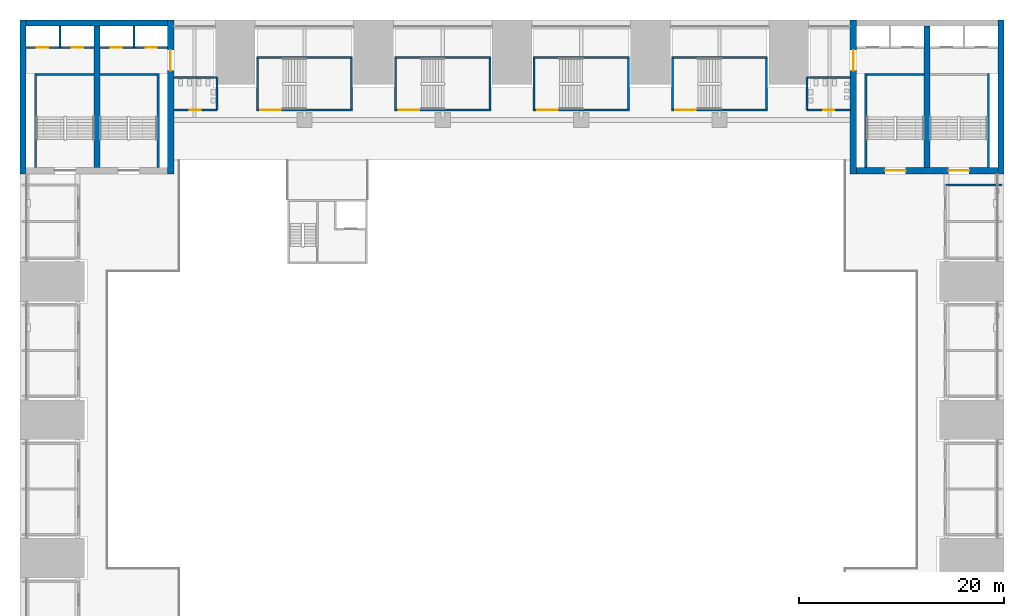
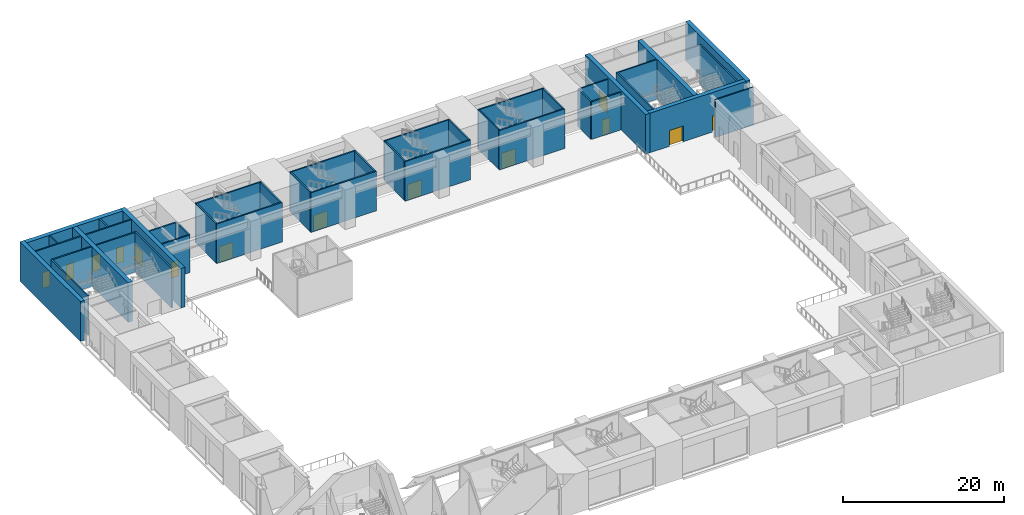
# One storey, part 16 of 41: 42 walls, 14 doors, 14 openings.
"""IFC4 building model written with IfcOpenShell, lengths in metres."""

from ifc_helpers import new_model, si_unit, direction, frame, frame_2d, origin, place, context, subcontext, project, spatial, rectangle, extrude, material, layer, layer_set, type_object, element, fill, save


model = new_model("IFC4")

# Units and contexts
model_context = context("Model", 3, precision=1e-05, world=origin(), true_north=direction((0.0, 1.0)))
body_context = subcontext(model_context, "Body", "Model", "MODEL_VIEW")
ifc_project = project(units=[si_unit("LENGTHUNIT", "METRE"), si_unit("AREAUNIT", "SQUARE_METRE"), si_unit("VOLUMEUNIT", "CUBIC_METRE"), si_unit("PLANEANGLEUNIT", "RADIAN"), si_unit("MASSUNIT", "GRAM", prefix="KILO")], contexts=[model_context])

# Site, building, storey
site_placement = place(None, origin())
site = spatial("IfcSite", under=ifc_project, at=site_placement, CompositionType="ELEMENT")
building_placement = place(site_placement, origin())
building = spatial("IfcBuilding", under=site, at=building_placement, Name="Corbelhall Arena Tower", CompositionType="ELEMENT")
storey_placement = place(building_placement, frame((0.0, 0.0, 19.0)))
storey = spatial("IfcBuildingStorey", under=building, at=storey_placement, Name="L02", CompositionType="ELEMENT", Elevation=19.0)

# Wall
ifc_material_1 = material(Name="Gypsum board on steel studs", Category="steel")
ifc_layer_1 = layer(ifc_material_1, 0.199951171875)
ifc_layer_set_1 = layer_set([ifc_layer_1], Name="AR-ROOM-WALL")
wall_type_1 = type_object("IfcWallType", Name="AR-ROOM-WALL", PredefinedType="PARTITIONING", material=ifc_layer_set_1)
wall_1_placement = place(storey_placement, frame((42.300048828125, 22.89990234375, 0.0), z_axis=(0.0, 0.0, 1.0), x_axis=(1.0, 0.0, 0.0)))
element("IfcWall", 1, at=wall_1_placement, inside=storey, type_object=wall_type_1, Name="Accessible WC 2 end wall", PredefinedType="PARTITIONING", context=body_context, shape_type="SweptSolid", body=[
    extrude(rectangle(XDim=5.5, YDim=0.199951171875, at=frame_2d((2.75, 0.0))), origin(), (0.0, 0.0, 1.0), 5.699951171875),
])

# Wall, opening, door
wall_2_placement = place(storey_placement, frame((28.800048828125, 30.199951171875, 0.0), z_axis=(0.0, 0.0, 1.0), x_axis=(1.0, 0.0, 0.0)))
wall_2 = element("IfcWall", 2, at=wall_2_placement, inside=storey, type_object=wall_type_1, Name="Men's WC 1 wall", PredefinedType="PARTITIONING", context=body_context, shape_type="SweptSolid", body=[
    extrude(rectangle(XDim=4.199951171875, YDim=0.199951171875, at=frame_2d((2.10009765625, 0.0))), origin(), (0.0, 0.0, 1.0), 5.699951171875),
])
opening_1_placement = place(wall_2_placement, frame((1.550048828125, 0.0, 0.0)))
opening_1 = element("IfcOpeningElement", 3, at=opening_1_placement, cuts=wall_2, Name="Opening DA0379", PredefinedType="OPENING", context=body_context, shape_type="SweptSolid", body=[
    extrude(rectangle(XDim=1.10009765625, YDim=2.39990234375, at=frame_2d((0.550048828125, 1.199951171875))), frame((0.0, 0.10009765625, 0.0), z_axis=(0.0, -1.0, 0.0), x_axis=(1.0, 0.0, 0.0)), (0.0, 0.0, 1.0), 0.199951171875),
])
ifc_material_2 = material(Name="Timber", Category="wood")
door_type_1 = type_object("IfcDoorType", Name="AR-ROOM-DOOR", OperationType="DOUBLE_DOOR_SINGLE_SWING", PredefinedType="DOOR", material=ifc_material_2)
door_1_placement = place(opening_1_placement, origin())
door_1 = element("IfcDoor", 4, at=door_1_placement, inside=storey, type_object=door_type_1, Name="Men's WC 1 door", OperationType="DOUBLE_DOOR_SINGLE_SWING", OverallHeight=2.39990234375, OverallWidth=1.10009765625, PredefinedType="DOOR", context=body_context, shape_type="SweptSolid", body=[
    extrude(rectangle(XDim=1.10009765625, YDim=2.39990234375, at=frame_2d((0.550048828125, 1.199951171875))), frame((0.0, 0.02490234375, 0.0), z_axis=(0.0, -1.0, 0.0), x_axis=(1.0, 0.0, 0.0)), (0.0, 0.0, 1.0), 0.050048828125),
])
fill(opening_1, door_1)

# Walls
wall_3_placement = place(storey_placement, frame((28.800048828125, 30.199951171875, 0.0), z_axis=(0.0, 0.0, 1.0), x_axis=(0.0, 1.0, 0.0)))
element("IfcWall", 5, at=wall_3_placement, inside=storey, type_object=wall_type_1, Name="Men's WC 1 side wall", PredefinedType="PARTITIONING", context=body_context, shape_type="SweptSolid", body=[
    extrude(rectangle(XDim=3.199951171875, YDim=0.199951171875, at=frame_2d((1.60009765625, 0.0))), origin(), (0.0, 0.0, 1.0), 5.699951171875),
])
wall_4_placement = place(storey_placement, frame((28.800048828125, 33.39990234375, 0.0), z_axis=(0.0, 0.0, 1.0), x_axis=(1.0, 0.0, 0.0)))
element("IfcWall", 6, at=wall_4_placement, inside=storey, type_object=wall_type_1, Name="Men's WC 1 far wall", PredefinedType="PARTITIONING", context=body_context, shape_type="SweptSolid", body=[
    extrude(rectangle(XDim=4.199951171875, YDim=0.199951171875, at=frame_2d((2.10009765625, 0.0))), origin(), (0.0, 0.0, 1.0), 5.699951171875),
])

# Wall, opening, door
wall_5_placement = place(storey_placement, frame((-33.0, 30.199951171875, 0.0), z_axis=(0.0, 0.0, 1.0), x_axis=(1.0, 0.0, 0.0)))
wall_5 = element("IfcWall", 7, at=wall_5_placement, inside=storey, type_object=wall_type_1, Name="Women's WC 2 wall", PredefinedType="PARTITIONING", context=body_context, shape_type="SweptSolid", body=[
    extrude(rectangle(XDim=4.199951171875, YDim=0.199951171875, at=frame_2d((2.10009765625, 0.0))), origin(), (0.0, 0.0, 1.0), 5.699951171875),
])
opening_2_placement = place(wall_5_placement, frame((1.550048828125, 0.0, 0.0)))
opening_2 = element("IfcOpeningElement", 8, at=opening_2_placement, cuts=wall_5, Name="Opening DA0380", PredefinedType="OPENING", context=body_context, shape_type="SweptSolid", body=[
    extrude(rectangle(XDim=1.10009765625, YDim=2.39990234375, at=frame_2d((0.550048828125, 1.199951171875))), frame((0.0, 0.10009765625, 0.0), z_axis=(0.0, -1.0, 0.0), x_axis=(1.0, 0.0, 0.0)), (0.0, 0.0, 1.0), 0.199951171875),
])
door_2_placement = place(opening_2_placement, origin())
door_2 = element("IfcDoor", 9, at=door_2_placement, inside=storey, type_object=door_type_1, Name="Women's WC 2 door", OperationType="DOUBLE_DOOR_SINGLE_SWING", OverallHeight=2.39990234375, OverallWidth=1.10009765625, PredefinedType="DOOR", context=body_context, shape_type="SweptSolid", body=[
    extrude(rectangle(XDim=1.10009765625, YDim=2.39990234375, at=frame_2d((0.550048828125, 1.199951171875))), frame((0.0, 0.02490234375, 0.0), z_axis=(0.0, -1.0, 0.0), x_axis=(1.0, 0.0, 0.0)), (0.0, 0.0, 1.0), 0.050048828125),
])
fill(opening_2, door_2)

# Walls
wall_6_placement = place(storey_placement, frame((-28.800048828125, 30.199951171875, 0.0), z_axis=(0.0, 0.0, 1.0), x_axis=(0.0, 1.0, 0.0)))
element("IfcWall", 10, at=wall_6_placement, inside=storey, type_object=wall_type_1, Name="Women's WC 2 side wall", PredefinedType="PARTITIONING", context=body_context, shape_type="SweptSolid", body=[
    extrude(rectangle(XDim=3.199951171875, YDim=0.199951171875, at=frame_2d((1.60009765625, 0.0))), origin(), (0.0, 0.0, 1.0), 5.699951171875),
])
wall_7_placement = place(storey_placement, frame((-33.0, 33.39990234375, 0.0), z_axis=(0.0, 0.0, 1.0), x_axis=(1.0, 0.0, 0.0)))
element("IfcWall", 11, at=wall_7_placement, inside=storey, type_object=wall_type_1, Name="Women's WC 2 far wall", PredefinedType="PARTITIONING", context=body_context, shape_type="SweptSolid", body=[
    extrude(rectangle(XDim=4.199951171875, YDim=0.199951171875, at=frame_2d((2.10009765625, 0.0))), origin(), (0.0, 0.0, 1.0), 5.699951171875),
])

# Wall, openings, doors
ifc_material_3 = material(Name="Reinforced concrete C40/50", Category="concrete")
ifc_layer_2 = layer(ifc_material_3, 0.199951171875)
ifc_layer_set_2 = layer_set([ifc_layer_2], Name="AR-SHAFT-WALL")
wall_type_2 = type_object("IfcWallType", Name="AR-SHAFT-WALL", PredefinedType="SHEAR", material=ifc_layer_set_2)
wall_8_placement = place(storey_placement, frame((-47.39990234375, 36.300048828125, 0.0), z_axis=(0.0, 0.0, 1.0), x_axis=(1.0, 0.0, 0.0)))
wall_8 = element("IfcWall", 12, at=wall_8_placement, inside=storey, type_object=wall_type_2, Name="Lift lobby wall NW", PredefinedType="SHEAR", context=body_context, shape_type="SweptSolid", body=[
    extrude(rectangle(XDim=6.599853515625, YDim=0.199951171875, at=frame_2d((3.2998046875, 0.0))), origin(), (0.0, 0.0, 1.0), 6.0),
])
opening_3_placement = place(wall_8_placement, frame((1.050048828125, 0.0, 0.0)))
opening_3 = element("IfcOpeningElement", 13, at=opening_3_placement, cuts=wall_8, Name="Opening LD0171", PredefinedType="OPENING", context=body_context, shape_type="SweptSolid", body=[
    extrude(rectangle(XDim=1.10009765625, YDim=2.39990234375, at=frame_2d((0.550048828125, 1.199951171875))), frame((0.0, 0.10009765625, 0.0), z_axis=(0.0, -1.0, 0.0), x_axis=(1.0, 0.0, 0.0)), (0.0, 0.0, 1.0), 0.199951171875),
])
opening_4_placement = place(wall_8_placement, frame((4.449951171875, 0.0, 0.0)))
opening_4 = element("IfcOpeningElement", 14, at=opening_4_placement, cuts=wall_8, Name="Opening LD0172", PredefinedType="OPENING", context=body_context, shape_type="SweptSolid", body=[
    extrude(rectangle(XDim=1.10009765625, YDim=2.39990234375, at=frame_2d((0.550048828125, 1.199951171875))), frame((0.0, 0.10009765625, 0.0), z_axis=(0.0, -1.0, 0.0), x_axis=(1.0, 0.0, 0.0)), (0.0, 0.0, 1.0), 0.199951171875),
])
ifc_material_4 = material(Name="Stainless steel A4", Category="steel")
door_type_2 = type_object("IfcDoorType", Name="AR-LANDING-DOOR", OperationType="DOUBLE_DOOR_SLIDING", PredefinedType="DOOR", material=ifc_material_4)
door_3_placement = place(opening_3_placement, origin())
door_3 = element("IfcDoor", 15, at=door_3_placement, inside=storey, type_object=door_type_2, Name="Landing door NW LF3 L02", OperationType="DOUBLE_DOOR_SLIDING", OverallHeight=2.39990234375, OverallWidth=1.10009765625, PredefinedType="DOOR", context=body_context, shape_type="SweptSolid", body=[
    extrude(rectangle(XDim=1.10009765625, YDim=2.39990234375, at=frame_2d((0.550048828125, 1.199951171875))), frame((0.0, 0.02490234375, 0.0), z_axis=(0.0, -1.0, 0.0), x_axis=(1.0, 0.0, 0.0)), (0.0, 0.0, 1.0), 0.050048828125),
])
fill(opening_3, door_3)
door_4_placement = place(opening_4_placement, origin())
door_4 = element("IfcDoor", 16, at=door_4_placement, inside=storey, type_object=door_type_2, Name="Landing door NW LF4 L02", OperationType="DOUBLE_DOOR_SLIDING", OverallHeight=2.39990234375, OverallWidth=1.10009765625, PredefinedType="DOOR", context=body_context, shape_type="SweptSolid", body=[
    extrude(rectangle(XDim=1.10009765625, YDim=2.39990234375, at=frame_2d((0.550048828125, 1.199951171875))), frame((0.0, 0.02490234375, 0.0), z_axis=(0.0, -1.0, 0.0), x_axis=(1.0, 0.0, 0.0)), (0.0, 0.0, 1.0), 0.050048828125),
])
fill(opening_4, door_4)

wall_9_placement = place(storey_placement, frame((-40.199951171875, 36.300048828125, 0.0), z_axis=(0.0, 0.0, 1.0), x_axis=(1.0, 0.0, 0.0)))
wall_9 = element("IfcWall", 17, at=wall_9_placement, inside=storey, type_object=wall_type_2, Name="Lift lobby wall NW", PredefinedType="SHEAR", context=body_context, shape_type="SweptSolid", body=[
    extrude(rectangle(XDim=6.599853515625, YDim=0.199951171875, at=frame_2d((3.2998046875, 0.0))), origin(), (0.0, 0.0, 1.0), 6.0),
])
opening_5_placement = place(wall_9_placement, frame((1.050048828125, 0.0, 0.0)))
opening_5 = element("IfcOpeningElement", 18, at=opening_5_placement, cuts=wall_9, Name="Opening LD0173", PredefinedType="OPENING", context=body_context, shape_type="SweptSolid", body=[
    extrude(rectangle(XDim=1.10009765625, YDim=2.39990234375, at=frame_2d((0.550048828125, 1.199951171875))), frame((0.0, 0.10009765625, 0.0), z_axis=(0.0, -1.0, 0.0), x_axis=(1.0, 0.0, 0.0)), (0.0, 0.0, 1.0), 0.199951171875),
])
opening_6_placement = place(wall_9_placement, frame((4.449951171875, 0.0, 0.0)))
opening_6 = element("IfcOpeningElement", 19, at=opening_6_placement, cuts=wall_9, Name="Opening LD0174", PredefinedType="OPENING", context=body_context, shape_type="SweptSolid", body=[
    extrude(rectangle(XDim=1.10009765625, YDim=2.39990234375, at=frame_2d((0.550048828125, 1.199951171875))), frame((0.0, 0.10009765625, 0.0), z_axis=(0.0, -1.0, 0.0), x_axis=(1.0, 0.0, 0.0)), (0.0, 0.0, 1.0), 0.199951171875),
])
door_5_placement = place(opening_5_placement, origin())
door_5 = element("IfcDoor", 20, at=door_5_placement, inside=storey, type_object=door_type_2, Name="Landing door NW LF1 L02", OperationType="DOUBLE_DOOR_SLIDING", OverallHeight=2.39990234375, OverallWidth=1.10009765625, PredefinedType="DOOR", context=body_context, shape_type="SweptSolid", body=[
    extrude(rectangle(XDim=1.10009765625, YDim=2.39990234375, at=frame_2d((0.550048828125, 1.199951171875))), frame((0.0, 0.02490234375, 0.0), z_axis=(0.0, -1.0, 0.0), x_axis=(1.0, 0.0, 0.0)), (0.0, 0.0, 1.0), 0.050048828125),
])
fill(opening_5, door_5)
door_6_placement = place(opening_6_placement, origin())
door_6 = element("IfcDoor", 21, at=door_6_placement, inside=storey, type_object=door_type_2, Name="Landing door NW LF2 L02", OperationType="DOUBLE_DOOR_SLIDING", OverallHeight=2.39990234375, OverallWidth=1.10009765625, PredefinedType="DOOR", context=body_context, shape_type="SweptSolid", body=[
    extrude(rectangle(XDim=1.10009765625, YDim=2.39990234375, at=frame_2d((0.550048828125, 1.199951171875))), frame((0.0, 0.02490234375, 0.0), z_axis=(0.0, -1.0, 0.0), x_axis=(1.0, 0.0, 0.0)), (0.0, 0.0, 1.0), 0.050048828125),
])
fill(opening_6, door_6)

# Walls
for number, where, z_axis, x_axis, name in (
    (22, (-36.89990234375, 36.300048828125, 0.0), (0.0, 0.0, 1.0), (0.0, 1.0, 0.0), "Shaft wall NW"),
    (23, (-44.10009765625, 36.300048828125, 0.0), (0.0, 0.0, 1.0), (0.0, 1.0, 0.0), "Shaft wall NW"),
):
    element("IfcWall", number, at=place(storey_placement, frame(where, z_axis=z_axis, x_axis=x_axis)), inside=storey, type_object=wall_type_2, Name=name, PredefinedType="SHEAR", context=body_context, shape_type="SweptSolid", body=[
        extrude(rectangle(XDim=2.099853515625, YDim=0.199951171875, at=frame_2d((1.0498046875, 0.0))), origin(), (0.0, 0.0, 1.0), 6.0),
    ])

# Wall, opening, door
ifc_layer_3 = layer(ifc_material_3, 0.199951171875)
ifc_layer_set_3 = layer_set([ifc_layer_3], Name="AR-STAIR-WALL")
wall_type_3 = type_object("IfcWallType", Name="AR-STAIR-WALL", PredefinedType="SOLIDWALL", material=ifc_layer_set_3)
wall_10_placement = place(storey_placement, frame((-24.949951171875, 30.199951171875, 0.0), z_axis=(0.0, 0.0, 1.0), x_axis=(1.0, 0.0, 0.0)))
wall_10 = element("IfcWall", 24, at=wall_10_placement, inside=storey, type_object=wall_type_3, Name="Stair AS9 wall", PredefinedType="SOLIDWALL", context=body_context, shape_type="SweptSolid", body=[
    extrude(rectangle(XDim=9.39990234375, YDim=0.199951171875, at=frame_2d((4.699951171875, 0.0))), origin(), (0.0, 0.0, 1.0), 6.0),
])
opening_7_placement = place(wall_10_placement, frame((0.39990234375, 0.0, 0.0)))
opening_7 = element("IfcOpeningElement", 25, at=opening_7_placement, cuts=wall_10, Name="Opening DA0003", PredefinedType="OPENING", context=body_context, shape_type="SweptSolid", body=[
    extrude(rectangle(XDim=2.0, YDim=2.39990234375, at=frame_2d((1.0, 1.199951171875))), frame((0.0, 0.10009765625, 0.0), z_axis=(0.0, -1.0, 0.0), x_axis=(1.0, 0.0, 0.0)), (0.0, 0.0, 1.0), 0.199951171875),
])
ifc_material_5 = material(Name="Steel and glass", Category="steel")
door_type_3 = type_object("IfcDoorType", Name="AR-STAIR-DOOR", OperationType="DOUBLE_DOOR_SINGLE_SWING", PredefinedType="DOOR", material=ifc_material_5)
door_7_placement = place(opening_7_placement, origin())
door_7 = element("IfcDoor", 26, at=door_7_placement, inside=storey, type_object=door_type_3, Name="Stair AS9 door", OperationType="DOUBLE_DOOR_SINGLE_SWING", OverallHeight=2.39990234375, OverallWidth=2.0, PredefinedType="DOOR", context=body_context, shape_type="SweptSolid", body=[
    extrude(rectangle(XDim=2.0, YDim=2.39990234375, at=frame_2d((1.0, 1.199951171875))), frame((0.0, 0.02490234375, 0.0), z_axis=(0.0, -1.0, 0.0), x_axis=(1.0, 0.0, 0.0)), (0.0, 0.0, 1.0), 0.050048828125),
])
fill(opening_7, door_7)

# Walls
wall_11_placement = place(storey_placement, frame((-24.949951171875, 35.35009765625, 0.0), z_axis=(0.0, 0.0, 1.0), x_axis=(1.0, 0.0, 0.0)))
element("IfcWall", 27, at=wall_11_placement, inside=storey, type_object=wall_type_3, Name="Stair AS9 wall", PredefinedType="SOLIDWALL", context=body_context, shape_type="SweptSolid", body=[
    extrude(rectangle(XDim=9.39990234375, YDim=0.199951171875, at=frame_2d((4.699951171875, 0.0))), origin(), (0.0, 0.0, 1.0), 6.0),
])
for number, where, z_axis, x_axis, name in (
    (28, (-24.85009765625, 30.300048828125, 0.0), (0.0, 0.0, 1.0), (0.0, 1.0, 0.0), "Stair AS9 wall"),
    (29, (-15.64990234375, 30.300048828125, 0.0), (0.0, 0.0, 1.0), (0.0, 1.0, 0.0), "Stair AS9 wall"),
):
    element("IfcWall", number, at=place(storey_placement, frame(where, z_axis=z_axis, x_axis=x_axis)), inside=storey, type_object=wall_type_3, Name=name, PredefinedType="SOLIDWALL", context=body_context, shape_type="SweptSolid", body=[
        extrude(rectangle(XDim=4.949951171875, YDim=0.199951171875, at=frame_2d((2.47509765625, 0.0))), origin(), (0.0, 0.0, 1.0), 6.0),
    ])

# Wall, opening, door
wall_12_placement = place(storey_placement, frame((-11.449951171875, 30.199951171875, 0.0), z_axis=(0.0, 0.0, 1.0), x_axis=(1.0, 0.0, 0.0)))
wall_12 = element("IfcWall", 30, at=wall_12_placement, inside=storey, type_object=wall_type_3, Name="Stair AS10 wall", PredefinedType="SOLIDWALL", context=body_context, shape_type="SweptSolid", body=[
    extrude(rectangle(XDim=9.39990234375, YDim=0.199951171875, at=frame_2d((4.699951171875, 0.0))), origin(), (0.0, 0.0, 1.0), 6.0),
])
opening_8_placement = place(wall_12_placement, frame((0.39990234375, 0.0, 0.0)))
opening_8 = element("IfcOpeningElement", 31, at=opening_8_placement, cuts=wall_12, Name="Opening DA0009", PredefinedType="OPENING", context=body_context, shape_type="SweptSolid", body=[
    extrude(rectangle(XDim=2.0, YDim=2.39990234375, at=frame_2d((1.0, 1.199951171875))), frame((0.0, 0.10009765625, 0.0), z_axis=(0.0, -1.0, 0.0), x_axis=(1.0, 0.0, 0.0)), (0.0, 0.0, 1.0), 0.199951171875),
])
door_8_placement = place(opening_8_placement, origin())
door_8 = element("IfcDoor", 32, at=door_8_placement, inside=storey, type_object=door_type_3, Name="Stair AS10 door", OperationType="DOUBLE_DOOR_SINGLE_SWING", OverallHeight=2.39990234375, OverallWidth=2.0, PredefinedType="DOOR", context=body_context, shape_type="SweptSolid", body=[
    extrude(rectangle(XDim=2.0, YDim=2.39990234375, at=frame_2d((1.0, 1.199951171875))), frame((0.0, 0.02490234375, 0.0), z_axis=(0.0, -1.0, 0.0), x_axis=(1.0, 0.0, 0.0)), (0.0, 0.0, 1.0), 0.050048828125),
])
fill(opening_8, door_8)

# Walls
wall_13_placement = place(storey_placement, frame((-11.449951171875, 35.35009765625, 0.0), z_axis=(0.0, 0.0, 1.0), x_axis=(1.0, 0.0, 0.0)))
element("IfcWall", 33, at=wall_13_placement, inside=storey, type_object=wall_type_3, Name="Stair AS10 wall", PredefinedType="SOLIDWALL", context=body_context, shape_type="SweptSolid", body=[
    extrude(rectangle(XDim=9.39990234375, YDim=0.199951171875, at=frame_2d((4.699951171875, 0.0))), origin(), (0.0, 0.0, 1.0), 6.0),
])
for number, where, z_axis, x_axis, name in (
    (34, (-11.35009765625, 30.300048828125, 0.0), (0.0, 0.0, 1.0), (0.0, 1.0, 0.0), "Stair AS10 wall"),
    (35, (-2.14990234375, 30.300048828125, 0.0), (0.0, 0.0, 1.0), (0.0, 1.0, 0.0), "Stair AS10 wall"),
):
    element("IfcWall", number, at=place(storey_placement, frame(where, z_axis=z_axis, x_axis=x_axis)), inside=storey, type_object=wall_type_3, Name=name, PredefinedType="SOLIDWALL", context=body_context, shape_type="SweptSolid", body=[
        extrude(rectangle(XDim=4.949951171875, YDim=0.199951171875, at=frame_2d((2.47509765625, 0.0))), origin(), (0.0, 0.0, 1.0), 6.0),
    ])

# Wall, opening, door
wall_14_placement = place(storey_placement, frame((2.050048828125, 30.199951171875, 0.0), z_axis=(0.0, 0.0, 1.0), x_axis=(1.0, 0.0, 0.0)))
wall_14 = element("IfcWall", 36, at=wall_14_placement, inside=storey, type_object=wall_type_3, Name="Stair AS11 wall", PredefinedType="SOLIDWALL", context=body_context, shape_type="SweptSolid", body=[
    extrude(rectangle(XDim=9.39990234375, YDim=0.199951171875, at=frame_2d((4.699951171875, 0.0))), origin(), (0.0, 0.0, 1.0), 6.0),
])
opening_9_placement = place(wall_14_placement, frame((0.39990234375, 0.0, 0.0)))
opening_9 = element("IfcOpeningElement", 37, at=opening_9_placement, cuts=wall_14, Name="Opening DA0015", PredefinedType="OPENING", context=body_context, shape_type="SweptSolid", body=[
    extrude(rectangle(XDim=2.0, YDim=2.39990234375, at=frame_2d((1.0, 1.199951171875))), frame((0.0, 0.10009765625, 0.0), z_axis=(0.0, -1.0, 0.0), x_axis=(1.0, 0.0, 0.0)), (0.0, 0.0, 1.0), 0.199951171875),
])
door_9_placement = place(opening_9_placement, origin())
door_9 = element("IfcDoor", 38, at=door_9_placement, inside=storey, type_object=door_type_3, Name="Stair AS11 door", OperationType="DOUBLE_DOOR_SINGLE_SWING", OverallHeight=2.39990234375, OverallWidth=2.0, PredefinedType="DOOR", context=body_context, shape_type="SweptSolid", body=[
    extrude(rectangle(XDim=2.0, YDim=2.39990234375, at=frame_2d((1.0, 1.199951171875))), frame((0.0, 0.02490234375, 0.0), z_axis=(0.0, -1.0, 0.0), x_axis=(1.0, 0.0, 0.0)), (0.0, 0.0, 1.0), 0.050048828125),
])
fill(opening_9, door_9)

# Walls
wall_15_placement = place(storey_placement, frame((2.050048828125, 35.35009765625, 0.0), z_axis=(0.0, 0.0, 1.0), x_axis=(1.0, 0.0, 0.0)))
element("IfcWall", 39, at=wall_15_placement, inside=storey, type_object=wall_type_3, Name="Stair AS11 wall", PredefinedType="SOLIDWALL", context=body_context, shape_type="SweptSolid", body=[
    extrude(rectangle(XDim=9.39990234375, YDim=0.199951171875, at=frame_2d((4.699951171875, 0.0))), origin(), (0.0, 0.0, 1.0), 6.0),
])
for number, where, z_axis, x_axis, name in (
    (40, (2.14990234375, 30.300048828125, 0.0), (0.0, 0.0, 1.0), (0.0, 1.0, 0.0), "Stair AS11 wall"),
    (41, (11.35009765625, 30.300048828125, 0.0), (0.0, 0.0, 1.0), (0.0, 1.0, 0.0), "Stair AS11 wall"),
):
    element("IfcWall", number, at=place(storey_placement, frame(where, z_axis=z_axis, x_axis=x_axis)), inside=storey, type_object=wall_type_3, Name=name, PredefinedType="SOLIDWALL", context=body_context, shape_type="SweptSolid", body=[
        extrude(rectangle(XDim=4.949951171875, YDim=0.199951171875, at=frame_2d((2.47509765625, 0.0))), origin(), (0.0, 0.0, 1.0), 6.0),
    ])

# Wall, opening, door
wall_16_placement = place(storey_placement, frame((15.550048828125, 30.199951171875, 0.0), z_axis=(0.0, 0.0, 1.0), x_axis=(1.0, 0.0, 0.0)))
wall_16 = element("IfcWall", 42, at=wall_16_placement, inside=storey, type_object=wall_type_3, Name="Stair AS12 wall", PredefinedType="SOLIDWALL", context=body_context, shape_type="SweptSolid", body=[
    extrude(rectangle(XDim=9.39990234375, YDim=0.199951171875, at=frame_2d((4.699951171875, 0.0))), origin(), (0.0, 0.0, 1.0), 6.0),
])
opening_10_placement = place(wall_16_placement, frame((0.39990234375, 0.0, 0.0)))
opening_10 = element("IfcOpeningElement", 43, at=opening_10_placement, cuts=wall_16, Name="Opening DA0021", PredefinedType="OPENING", context=body_context, shape_type="SweptSolid", body=[
    extrude(rectangle(XDim=2.0, YDim=2.39990234375, at=frame_2d((1.0, 1.199951171875))), frame((0.0, 0.10009765625, 0.0), z_axis=(0.0, -1.0, 0.0), x_axis=(1.0, 0.0, 0.0)), (0.0, 0.0, 1.0), 0.199951171875),
])
door_10_placement = place(opening_10_placement, origin())
door_10 = element("IfcDoor", 44, at=door_10_placement, inside=storey, type_object=door_type_3, Name="Stair AS12 door", OperationType="DOUBLE_DOOR_SINGLE_SWING", OverallHeight=2.39990234375, OverallWidth=2.0, PredefinedType="DOOR", context=body_context, shape_type="SweptSolid", body=[
    extrude(rectangle(XDim=2.0, YDim=2.39990234375, at=frame_2d((1.0, 1.199951171875))), frame((0.0, 0.02490234375, 0.0), z_axis=(0.0, -1.0, 0.0), x_axis=(1.0, 0.0, 0.0)), (0.0, 0.0, 1.0), 0.050048828125),
])
fill(opening_10, door_10)

# Walls
wall_17_placement = place(storey_placement, frame((15.550048828125, 35.35009765625, 0.0), z_axis=(0.0, 0.0, 1.0), x_axis=(1.0, 0.0, 0.0)))
element("IfcWall", 45, at=wall_17_placement, inside=storey, type_object=wall_type_3, Name="Stair AS12 wall", PredefinedType="SOLIDWALL", context=body_context, shape_type="SweptSolid", body=[
    extrude(rectangle(XDim=9.39990234375, YDim=0.199951171875, at=frame_2d((4.699951171875, 0.0))), origin(), (0.0, 0.0, 1.0), 6.0),
])
for number, where, z_axis, x_axis, name in (
    (46, (15.64990234375, 30.300048828125, 0.0), (0.0, 0.0, 1.0), (0.0, 1.0, 0.0), "Stair AS12 wall"),
    (47, (24.85009765625, 30.300048828125, 0.0), (0.0, 0.0, 1.0), (0.0, 1.0, 0.0), "Stair AS12 wall"),
):
    element("IfcWall", number, at=place(storey_placement, frame(where, z_axis=z_axis, x_axis=x_axis)), inside=storey, type_object=wall_type_3, Name=name, PredefinedType="SOLIDWALL", context=body_context, shape_type="SweptSolid", body=[
        extrude(rectangle(XDim=4.949951171875, YDim=0.199951171875, at=frame_2d((2.47509765625, 0.0))), origin(), (0.0, 0.0, 1.0), 6.0),
    ])
wall_18_placement = place(storey_placement, frame((34.510009765625, 24.60009765625, 0.0), z_axis=(0.0, 0.0, 1.0), x_axis=(0.0, 1.0, 0.0)))
element("IfcWall", 48, at=wall_18_placement, inside=storey, type_object=wall_type_3, Name="Stair AS1 wall", PredefinedType="SOLIDWALL", context=body_context, shape_type="SweptSolid", body=[
    extrude(rectangle(XDim=9.199951171875, YDim=0.199951171875, at=frame_2d((4.60009765625, 0.0))), origin(), (0.0, 0.0, 1.0), 6.0),
])
wall_19_placement = place(storey_placement, frame((34.610107421875, 33.699951171875, 0.0), z_axis=(0.0, 0.0, 1.0), x_axis=(1.0, 0.0, 0.0)))
element("IfcWall", 49, at=wall_19_placement, inside=storey, type_object=wall_type_3, Name="Stair AS1 wall", PredefinedType="SOLIDWALL", context=body_context, shape_type="SweptSolid", body=[
    extrude(rectangle(XDim=5.58984375, YDim=0.199951171875, at=frame_2d((2.794921875, 0.0))), origin(), (0.0, 0.0, 1.0), 6.0),
])
for number, where, z_axis, x_axis, name in (
    (50, (46.489990234375, 24.60009765625, 0.0), (0.0, 0.0, 1.0), (0.0, 1.0, 0.0), "Stair AS2 wall"),
    (51, (-34.510009765625, 24.60009765625, 0.0), (0.0, 0.0, 1.0), (0.0, 1.0, 0.0), "Stair AS3 wall"),
):
    element("IfcWall", number, at=place(storey_placement, frame(where, z_axis=z_axis, x_axis=x_axis)), inside=storey, type_object=wall_type_3, Name=name, PredefinedType="SOLIDWALL", context=body_context, shape_type="SweptSolid", body=[
        extrude(rectangle(XDim=9.199951171875, YDim=0.199951171875, at=frame_2d((4.60009765625, 0.0))), origin(), (0.0, 0.0, 1.0), 6.0),
    ])
wall_20_placement = place(storey_placement, frame((-40.199951171875, 33.699951171875, 0.0), z_axis=(0.0, 0.0, 1.0), x_axis=(1.0, 0.0, 0.0)))
element("IfcWall", 52, at=wall_20_placement, inside=storey, type_object=wall_type_3, Name="Stair AS3 wall", PredefinedType="SOLIDWALL", context=body_context, shape_type="SweptSolid", body=[
    extrude(rectangle(XDim=5.58984375, YDim=0.199951171875, at=frame_2d((2.794921875, 0.0))), origin(), (0.0, 0.0, 1.0), 6.0),
])
wall_21_placement = place(storey_placement, frame((-46.489990234375, 24.60009765625, 0.0), z_axis=(0.0, 0.0, 1.0), x_axis=(0.0, 1.0, 0.0)))
element("IfcWall", 53, at=wall_21_placement, inside=storey, type_object=wall_type_3, Name="Stair AS4 wall", PredefinedType="SOLIDWALL", context=body_context, shape_type="SweptSolid", body=[
    extrude(rectangle(XDim=9.199951171875, YDim=0.199951171875, at=frame_2d((4.60009765625, 0.0))), origin(), (0.0, 0.0, 1.0), 6.0),
])
wall_22_placement = place(storey_placement, frame((-46.389892578125, 33.699951171875, 0.0), z_axis=(0.0, 0.0, 1.0), x_axis=(1.0, 0.0, 0.0)))
element("IfcWall", 54, at=wall_22_placement, inside=storey, type_object=wall_type_3, Name="Stair AS4 wall", PredefinedType="SOLIDWALL", context=body_context, shape_type="SweptSolid", body=[
    extrude(rectangle(XDim=5.58984375, YDim=0.199951171875, at=frame_2d((2.794921875, 0.0))), origin(), (0.0, 0.0, 1.0), 6.0),
])

# Wall, openings, doors
ifc_material_6 = material(Name="Concrete C80/95", Category="concrete")
ifc_layer_4 = layer(ifc_material_6, 0.60009765625)
ifc_layer_set_4 = layer_set([ifc_layer_4], Name="PO-CORE-WALL")
wall_type_4 = type_object("IfcWallType", Name="PO-CORE-WALL", PredefinedType="SHEAR", material=ifc_layer_set_4)
wall_23_placement = place(storey_placement, frame((33.60009765625, 24.300048828125, 0.0), z_axis=(0.0, 0.0, 1.0), x_axis=(1.0, 0.0, 0.0)))
wall_23 = element("IfcWall", 55, at=wall_23_placement, inside=storey, type_object=wall_type_4, Name="CORE NE WALL S L02", PredefinedType="SHEAR", context=body_context, shape_type="SweptSolid", body=[
    extrude(rectangle(XDim=13.7998046875, YDim=0.60009765625, at=frame_2d((6.89990234375, 0.0))), origin(), (0.0, 0.0, 1.0), 6.0),
])
opening_11_placement = place(wall_23_placement, frame((2.804931640625, 0.0, 0.0)))
opening_11 = element("IfcOpeningElement", 56, at=opening_11_placement, cuts=wall_23, Name="Opening DA0055", PredefinedType="OPENING", context=body_context, shape_type="SweptSolid", body=[
    extrude(rectangle(XDim=2.0, YDim=2.39990234375, at=frame_2d((1.0, 1.199951171875))), frame((0.0, 0.300048828125, 0.0), z_axis=(0.0, -1.0, 0.0), x_axis=(1.0, 0.0, 0.0)), (0.0, 0.0, 1.0), 0.60009765625),
])
opening_12_placement = place(wall_23_placement, frame((8.9951171875, 0.0, 0.0)))
opening_12 = element("IfcOpeningElement", 57, at=opening_12_placement, cuts=wall_23, Name="Opening DA0063", PredefinedType="OPENING", context=body_context, shape_type="SweptSolid", body=[
    extrude(rectangle(XDim=2.0, YDim=2.39990234375, at=frame_2d((1.0, 1.199951171875))), frame((0.0, 0.300048828125, 0.0), z_axis=(0.0, -1.0, 0.0), x_axis=(1.0, 0.0, 0.0)), (0.0, 0.0, 1.0), 0.60009765625),
])
door_11_placement = place(opening_11_placement, origin())
door_11 = element("IfcDoor", 58, at=door_11_placement, inside=storey, type_object=door_type_3, Name="Stair AS1 door", OperationType="DOUBLE_DOOR_SINGLE_SWING", OverallHeight=2.39990234375, OverallWidth=2.0, PredefinedType="DOOR", context=body_context, shape_type="SweptSolid", body=[
    extrude(rectangle(XDim=2.0, YDim=2.39990234375, at=frame_2d((1.0, 1.199951171875))), frame((0.0, 0.02490234375, 0.0), z_axis=(0.0, -1.0, 0.0), x_axis=(1.0, 0.0, 0.0)), (0.0, 0.0, 1.0), 0.050048828125),
])
fill(opening_11, door_11)
door_12_placement = place(opening_12_placement, origin())
door_12 = element("IfcDoor", 59, at=door_12_placement, inside=storey, type_object=door_type_3, Name="Stair AS2 door", OperationType="DOUBLE_DOOR_SINGLE_SWING", OverallHeight=2.39990234375, OverallWidth=2.0, PredefinedType="DOOR", context=body_context, shape_type="SweptSolid", body=[
    extrude(rectangle(XDim=2.0, YDim=2.39990234375, at=frame_2d((1.0, 1.199951171875))), frame((0.0, 0.02490234375, 0.0), z_axis=(0.0, -1.0, 0.0), x_axis=(1.0, 0.0, 0.0)), (0.0, 0.0, 1.0), 0.050048828125),
])
fill(opening_12, door_12)

# Wall, opening, door
wall_24_placement = place(storey_placement, frame((33.300048828125, 24.0, 0.0), z_axis=(0.0, 0.0, 1.0), x_axis=(0.0, 1.0, 0.0)))
wall_24 = element("IfcWall", 60, at=wall_24_placement, inside=storey, type_object=wall_type_4, Name="CORE NE WALL W L02", PredefinedType="SHEAR", context=body_context, shape_type="SweptSolid", body=[
    extrude(rectangle(XDim=15.0, YDim=0.60009765625, at=frame_2d((7.5, 0.0))), origin(), (0.0, 0.0, 1.0), 6.0),
])
opening_13_placement = place(wall_24_placement, frame((10.050048828125, 0.0, 0.0)))
opening_13 = element("IfcOpeningElement", 61, at=opening_13_placement, cuts=wall_24, Name="Opening DA0131", PredefinedType="OPENING", context=body_context, shape_type="SweptSolid", body=[
    extrude(rectangle(XDim=2.0, YDim=2.39990234375, at=frame_2d((1.0, 1.199951171875))), frame((0.0, 0.300048828125, 0.0), z_axis=(0.0, -1.0, 0.0), x_axis=(1.0, 0.0, 0.0)), (0.0, 0.0, 1.0), 0.60009765625),
])
door_type_4 = type_object("IfcDoorType", Name="AR-CORE-DOOR", OperationType="DOUBLE_DOOR_SINGLE_SWING", PredefinedType="DOOR", material=ifc_material_5)
door_13_placement = place(opening_13_placement, origin())
door_13 = element("IfcDoor", 62, at=door_13_placement, inside=storey, type_object=door_type_4, Name="Core lobby door NE L02", OperationType="DOUBLE_DOOR_SINGLE_SWING", OverallHeight=2.39990234375, OverallWidth=2.0, PredefinedType="DOOR", context=body_context, shape_type="SweptSolid", body=[
    extrude(rectangle(XDim=2.0, YDim=2.39990234375, at=frame_2d((1.0, 1.199951171875))), frame((0.0, 0.02490234375, 0.0), z_axis=(0.0, -1.0, 0.0), x_axis=(1.0, 0.0, 0.0)), (0.0, 0.0, 1.0), 0.050048828125),
])
fill(opening_13, door_13)

# Walls
wall_25_placement = place(storey_placement, frame((47.699951171875, 24.0, 0.0), z_axis=(0.0, 0.0, 1.0), x_axis=(0.0, 1.0, 0.0)))
element("IfcWall", 63, at=wall_25_placement, inside=storey, type_object=wall_type_4, Name="CORE NE WALL E L02", PredefinedType="SHEAR", context=body_context, shape_type="SweptSolid", body=[
    extrude(rectangle(XDim=15.0, YDim=0.60009765625, at=frame_2d((7.5, 0.0))), origin(), (0.0, 0.0, 1.0), 6.0),
])
for number, where, z_axis, x_axis, name in (
    (64, (40.5, 24.60009765625, 0.0), (0.0, 0.0, 1.0), (0.0, 1.0, 0.0), "CORE NE WALL D L02"),
    (65, (-47.39990234375, 38.699951171875, 0.0), (0.0, 0.0, 1.0), (1.0, 0.0, 0.0), "CORE NW WALL N L02"),
):
    element("IfcWall", number, at=place(storey_placement, frame(where, z_axis=z_axis, x_axis=x_axis)), inside=storey, type_object=wall_type_4, Name=name, PredefinedType="SHEAR", context=body_context, shape_type="SweptSolid", body=[
        extrude(rectangle(XDim=13.7998046875, YDim=0.60009765625, at=frame_2d((6.89990234375, 0.0))), origin(), (0.0, 0.0, 1.0), 6.0),
    ])
wall_26_placement = place(storey_placement, frame((-47.699951171875, 24.0, 0.0), z_axis=(0.0, 0.0, 1.0), x_axis=(0.0, 1.0, 0.0)))
element("IfcWall", 66, at=wall_26_placement, inside=storey, type_object=wall_type_4, Name="CORE NW WALL W L02", PredefinedType="SHEAR", context=body_context, shape_type="SweptSolid", body=[
    extrude(rectangle(XDim=15.0, YDim=0.60009765625, at=frame_2d((7.5, 0.0))), origin(), (0.0, 0.0, 1.0), 6.0),
])

# Wall, opening, door
wall_27_placement = place(storey_placement, frame((-33.300048828125, 24.0, 0.0), z_axis=(0.0, 0.0, 1.0), x_axis=(0.0, 1.0, 0.0)))
wall_27 = element("IfcWall", 67, at=wall_27_placement, inside=storey, type_object=wall_type_4, Name="CORE NW WALL E L02", PredefinedType="SHEAR", context=body_context, shape_type="SweptSolid", body=[
    extrude(rectangle(XDim=15.0, YDim=0.60009765625, at=frame_2d((7.5, 0.0))), origin(), (0.0, 0.0, 1.0), 6.0),
])
opening_14_placement = place(wall_27_placement, frame((10.050048828125, 0.0, 0.0)))
opening_14 = element("IfcOpeningElement", 68, at=opening_14_placement, cuts=wall_27, Name="Opening DA0175", PredefinedType="OPENING", context=body_context, shape_type="SweptSolid", body=[
    extrude(rectangle(XDim=2.0, YDim=2.39990234375, at=frame_2d((1.0, 1.199951171875))), frame((0.0, 0.300048828125, 0.0), z_axis=(0.0, -1.0, 0.0), x_axis=(1.0, 0.0, 0.0)), (0.0, 0.0, 1.0), 0.60009765625),
])
door_14_placement = place(opening_14_placement, origin())
door_14 = element("IfcDoor", 69, at=door_14_placement, inside=storey, type_object=door_type_4, Name="Core lobby door NW L02", OperationType="DOUBLE_DOOR_SINGLE_SWING", OverallHeight=2.39990234375, OverallWidth=2.0, PredefinedType="DOOR", context=body_context, shape_type="SweptSolid", body=[
    extrude(rectangle(XDim=2.0, YDim=2.39990234375, at=frame_2d((1.0, 1.199951171875))), frame((0.0, 0.02490234375, 0.0), z_axis=(0.0, -1.0, 0.0), x_axis=(1.0, 0.0, 0.0)), (0.0, 0.0, 1.0), 0.050048828125),
])
fill(opening_14, door_14)

# Wall
wall_28_placement = place(storey_placement, frame((-40.5, 24.60009765625, 0.0), z_axis=(0.0, 0.0, 1.0), x_axis=(0.0, 1.0, 0.0)))
element("IfcWall", 70, at=wall_28_placement, inside=storey, type_object=wall_type_4, Name="CORE NW WALL D L02", PredefinedType="SHEAR", context=body_context, shape_type="SweptSolid", body=[
    extrude(rectangle(XDim=13.7998046875, YDim=0.60009765625, at=frame_2d((6.89990234375, 0.0))), origin(), (0.0, 0.0, 1.0), 6.0),
])

save(model, "model.ifc")
